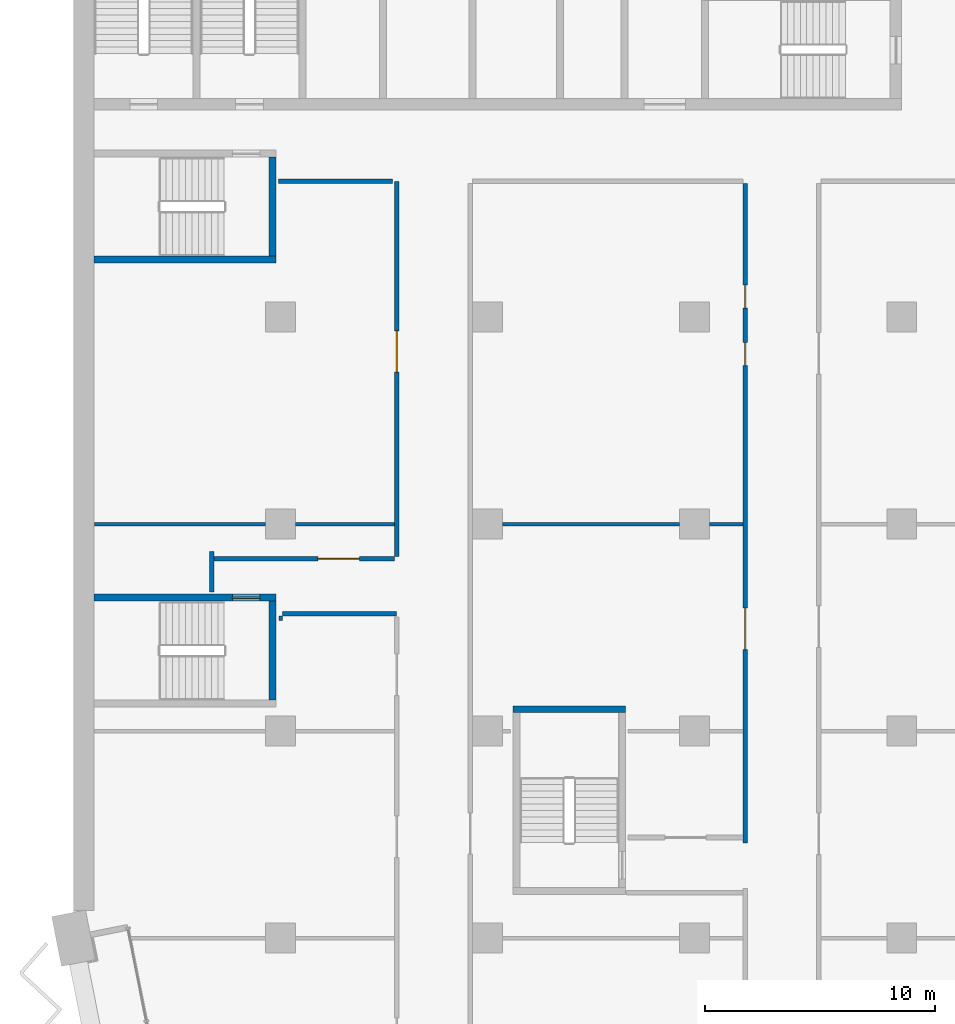
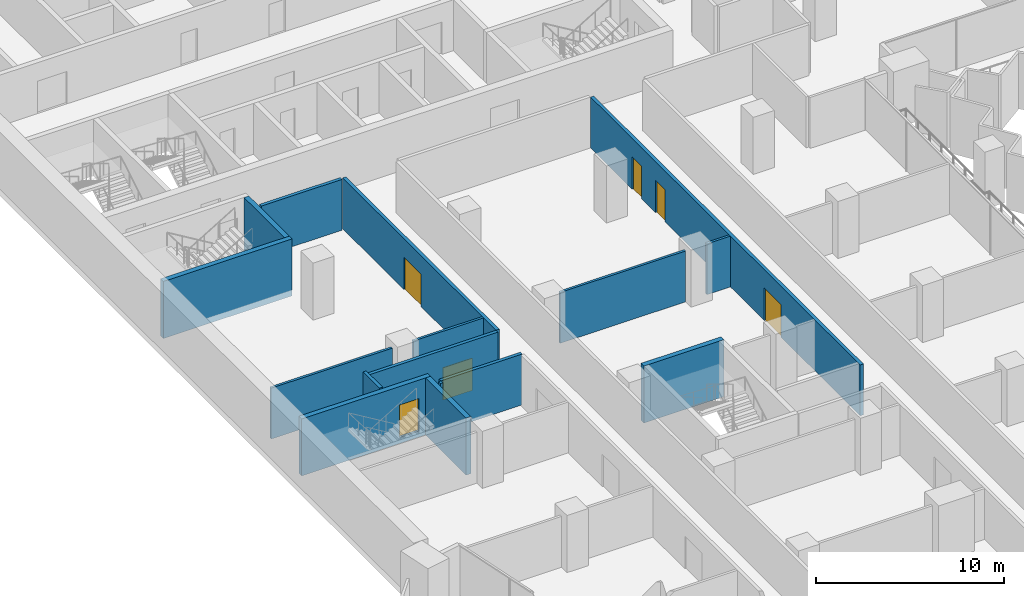
# One storey, part 10 of 22: 16 walls, 6 doors, 6 openings.
"""IFC4 building model written with IfcOpenShell, lengths in metres."""

from ifc_helpers import new_model, si_unit, direction, frame, frame_2d, origin, place, context, subcontext, project, spatial, rectangle, extrude, material, layer, layer_set, type_object, element, fill, save


model = new_model("IFC4")

# Units and contexts
model_context = context("Model", 3, precision=1e-05, world=origin(), true_north=direction((0.0, 1.0)))
body_context = subcontext(model_context, "Body", "Model", "MODEL_VIEW")
ifc_project = project(units=[si_unit("LENGTHUNIT", "METRE"), si_unit("AREAUNIT", "SQUARE_METRE"), si_unit("VOLUMEUNIT", "CUBIC_METRE"), si_unit("PLANEANGLEUNIT", "RADIAN"), si_unit("MASSUNIT", "GRAM", prefix="KILO")], contexts=[model_context])

# Site, building, storey
site_placement = place(None, origin())
site = spatial("IfcSite", under=ifc_project, at=site_placement, CompositionType="ELEMENT")
building_placement = place(site_placement, origin())
building = spatial("IfcBuilding", under=site, at=building_placement, Name="Hunhe Ridgeline Campus", CompositionType="ELEMENT")
storey_placement = place(building_placement, frame((0.0, 0.0, 114.39990234375)))
storey = spatial("IfcBuildingStorey", under=building, at=storey_placement, Name="L28", CompositionType="ELEMENT", Elevation=114.39990234375)

# Wall
ifc_material_1 = material(Name="Gypsum board partition")
ifc_layer_1 = layer(ifc_material_1, 0.199951171875)
ifc_layer_set_1 = layer_set([ifc_layer_1], Name="Corridor partition 200 gypsum board on steel studs")
wall_type_1 = type_object("IfcWallType", Name="Corridor partition 200 gypsum board on steel studs", PredefinedType="PARTITIONING", material=ifc_layer_set_1)
wall_1_placement = place(storey_placement, frame((14.050048828125, 41.10009765625, 0.0), z_axis=(0.0, 0.0, 1.0), x_axis=(-1.0, 0.0, 0.0)))
element("IfcWall", 1, at=wall_1_placement, inside=storey, type_object=wall_type_1, Name="F-L28-wall-022", PredefinedType="PARTITIONING", context=body_context, shape_type="SweptSolid", body=[
    extrude(rectangle(XDim=4.97509765625, YDim=0.199951171875, at=frame_2d((2.487548828125, 0.0))), origin(), (0.0, 0.0, 1.0), 3.300048828125),
])

# Wall, opening, door
wall_2_placement = place(storey_placement, frame((6.10009765625, 43.5, 0.0), z_axis=(0.0, 0.0, 1.0), x_axis=(1.0, 0.0, 0.0)))
wall_2 = element("IfcWall", 2, at=wall_2_placement, inside=storey, type_object=wall_type_1, Name="F-L28-wall-023", PredefinedType="PARTITIONING", context=body_context, shape_type="SweptSolid", body=[
    extrude(rectangle(XDim=7.849853515625, YDim=0.199951171875, at=frame_2d((3.9248046875, 0.0))), origin(), (0.0, 0.0, 1.0), 3.300048828125),
])
opening_1_placement = place(wall_2_placement, frame((4.52490234375, 0.0, 0.0)))
opening_1 = element("IfcOpeningElement", 3, at=opening_1_placement, cuts=wall_2, Name="Opening RD2-014", PredefinedType="OPENING", context=body_context, shape_type="SweptSolid", body=[
    extrude(rectangle(XDim=1.800048828125, YDim=2.10009765625, at=frame_2d((0.89990234375, 1.050048828125))), frame((0.0, 0.10009765625, 0.0), z_axis=(0.0, -1.0, 0.0), x_axis=(1.0, 0.0, 0.0)), (0.0, 0.0, 1.0), 0.199951171875),
])
ifc_material_2 = material(Name="Timber door leaf", Category="wood")
door_type_1 = type_object("IfcDoorType", Name="Double fire door 1800x2100 timber FD60", OperationType="DOUBLE_DOOR_SINGLE_SWING", PredefinedType="DOOR", material=ifc_material_2)
door_1_placement = place(opening_1_placement, origin())
door_1 = element("IfcDoor", 4, at=door_1_placement, inside=storey, type_object=door_type_1, Name="F-L28-door-014", OperationType="DOUBLE_DOOR_SINGLE_SWING", OverallHeight=2.10009765625, OverallWidth=1.800048828125, PredefinedType="DOOR", context=body_context, shape_type="SweptSolid", body=[
    extrude(rectangle(XDim=1.800048828125, YDim=2.10009765625, at=frame_2d((0.89990234375, 1.050048828125))), frame((0.0, 0.02490234375, 0.0), z_axis=(0.0, -1.0, 0.0), x_axis=(1.0, 0.0, 0.0)), (0.0, 0.0, 1.0), 0.050048828125),
])
fill(opening_1, door_1)

# Walls
wall_3_placement = place(storey_placement, frame((13.859375, 59.89990234375, 0.0), z_axis=(0.0, 0.0, 1.0), x_axis=(-1.0, 0.0, 0.0)))
element("IfcWall", 5, at=wall_3_placement, inside=storey, type_object=wall_type_1, Name="F-L28-wall-031", PredefinedType="PARTITIONING", context=body_context, shape_type="SweptSolid", body=[
    extrude(rectangle(XDim=4.955322265625, YDim=0.199951171875, at=frame_2d((2.4775390625, 0.0))), origin(), (0.0, 0.0, 1.0), 3.300048828125),
])
wall_4_placement = place(storey_placement, frame((6.0, 42.053955078125, 0.0), z_axis=(0.0, 0.0, 1.0), x_axis=(0.0, 1.0, 0.0)))
element("IfcWall", 6, at=wall_4_placement, inside=storey, type_object=wall_type_1, Name="F-L28-wall-041", PredefinedType="PARTITIONING", context=body_context, shape_type="SweptSolid", body=[
    extrude(rectangle(XDim=1.74609375, YDim=0.199951171875, at=frame_2d((0.873046875, 0.0))), origin(), (0.0, 0.0, 1.0), 3.300048828125),
])

# Wall, opening, door
wall_5_placement = place(storey_placement, frame((14.050048828125, 43.60009765625, 0.0), z_axis=(0.0, 0.0, 1.0), x_axis=(0.0, 1.0, 0.0)))
wall_5 = element("IfcWall", 7, at=wall_5_placement, inside=storey, type_object=wall_type_1, Name="F-L28-wall-044", PredefinedType="PARTITIONING", context=body_context, shape_type="SweptSolid", body=[
    extrude(rectangle(XDim=16.2998046875, YDim=0.199951171875, at=frame_2d((8.14990234375, 0.0))), origin(), (0.0, 0.0, 1.0), 3.300048828125),
])
opening_2_placement = place(wall_5_placement, frame((8.002197265625, 0.0, 0.0)))
opening_2 = element("IfcOpeningElement", 8, at=opening_2_placement, cuts=wall_5, Name="Opening RD2-017", PredefinedType="OPENING", context=body_context, shape_type="SweptSolid", body=[
    extrude(rectangle(XDim=1.800048828125, YDim=2.10009765625, at=frame_2d((0.89990234375, 1.050048828125))), frame((0.0, 0.10009765625, 0.0), z_axis=(0.0, -1.0, 0.0), x_axis=(1.0, 0.0, 0.0)), (0.0, 0.0, 1.0), 0.199951171875),
])
door_2_placement = place(opening_2_placement, origin())
door_2 = element("IfcDoor", 9, at=door_2_placement, inside=storey, type_object=door_type_1, Name="F-L28-door-017", OperationType="DOUBLE_DOOR_SINGLE_SWING", OverallHeight=2.10009765625, OverallWidth=1.800048828125, PredefinedType="DOOR", context=body_context, shape_type="SweptSolid", body=[
    extrude(rectangle(XDim=1.800048828125, YDim=2.10009765625, at=frame_2d((0.89990234375, 1.050048828125))), frame((0.0, 0.02490234375, 0.0), z_axis=(0.0, -1.0, 0.0), x_axis=(1.0, 0.0, 0.0)), (0.0, 0.0, 1.0), 0.050048828125),
])
fill(opening_2, door_2)

# Wall, openings, doors
wall_6_placement = place(storey_placement, frame((29.199951171875, 31.14306640625, 0.0), z_axis=(0.0, 0.0, 1.0), x_axis=(0.0, 1.0, 0.0)))
wall_6 = element("IfcWall", 10, at=wall_6_placement, inside=storey, type_object=wall_type_1, Name="F-L28-wall-047", PredefinedType="PARTITIONING", context=body_context, shape_type="SweptSolid", body=[
    extrude(rectangle(XDim=28.656982421875, YDim=0.199951171875, at=frame_2d((14.32861328125, 0.0))), origin(), (0.0, 0.0, 1.0), 3.300048828125),
])
opening_3_placement = place(wall_6_placement, frame((8.40087890625, 0.0, 0.0)))
opening_3 = element("IfcOpeningElement", 11, at=opening_3_placement, cuts=wall_6, Name="Opening RD2-012", PredefinedType="OPENING", context=body_context, shape_type="SweptSolid", body=[
    extrude(rectangle(XDim=1.800048828125, YDim=2.10009765625, at=frame_2d((0.89990234375, 1.050048828125))), frame((0.0, 0.10009765625, 0.0), z_axis=(0.0, -1.0, 0.0), x_axis=(1.0, 0.0, 0.0)), (0.0, 0.0, 1.0), 0.199951171875),
])
opening_4_placement = place(wall_6_placement, frame((20.7412109375, 0.0, 0.0)))
opening_4 = element("IfcOpeningElement", 12, at=opening_4_placement, cuts=wall_6, Name="Opening RD1-015", PredefinedType="OPENING", context=body_context, shape_type="SweptSolid", body=[
    extrude(rectangle(XDim=1.0, YDim=2.10009765625, at=frame_2d((0.5, 1.050048828125))), frame((0.0, 0.10009765625, 0.0), z_axis=(0.0, -1.0, 0.0), x_axis=(1.0, 0.0, 0.0)), (0.0, 0.0, 1.0), 0.199951171875),
])
opening_5_placement = place(wall_6_placement, frame((23.2412109375, 0.0, 0.0)))
opening_5 = element("IfcOpeningElement", 13, at=opening_5_placement, cuts=wall_6, Name="Opening RD1-018", PredefinedType="OPENING", context=body_context, shape_type="SweptSolid", body=[
    extrude(rectangle(XDim=1.0, YDim=2.10009765625, at=frame_2d((0.5, 1.050048828125))), frame((0.0, 0.10009765625, 0.0), z_axis=(0.0, -1.0, 0.0), x_axis=(1.0, 0.0, 0.0)), (0.0, 0.0, 1.0), 0.199951171875),
])
door_3_placement = place(opening_3_placement, origin())
door_3 = element("IfcDoor", 14, at=door_3_placement, inside=storey, type_object=door_type_1, Name="F-L28-door-012", OperationType="DOUBLE_DOOR_SINGLE_SWING", OverallHeight=2.10009765625, OverallWidth=1.800048828125, PredefinedType="DOOR", context=body_context, shape_type="SweptSolid", body=[
    extrude(rectangle(XDim=1.800048828125, YDim=2.10009765625, at=frame_2d((0.89990234375, 1.050048828125))), frame((0.0, 0.02490234375, 0.0), z_axis=(0.0, -1.0, 0.0), x_axis=(1.0, 0.0, 0.0)), (0.0, 0.0, 1.0), 0.050048828125),
])
fill(opening_3, door_3)
door_type_2 = type_object("IfcDoorType", Name="Single fire door 1000x2100 timber FD60", OperationType="NOTDEFINED", PredefinedType="DOOR", material=ifc_material_2)
door_4_placement = place(opening_4_placement, frame((1.0, 0.0, 0.0), z_axis=(0.0, 0.0, 1.0), x_axis=(-1.0, 0.0, 0.0)))
door_4 = element("IfcDoor", 15, at=door_4_placement, inside=storey, type_object=door_type_2, Name="F-L28-door-015", OperationType="SINGLE_SWING_RIGHT", OverallHeight=2.10009765625, OverallWidth=1.0, PredefinedType="DOOR", context=body_context, shape_type="SweptSolid", body=[
    extrude(rectangle(XDim=1.0, YDim=2.10009765625, at=frame_2d((0.5, 1.050048828125))), frame((0.0, 0.02490234375, 0.0), z_axis=(0.0, -1.0, 0.0), x_axis=(1.0, 0.0, 0.0)), (0.0, 0.0, 1.0), 0.050048828125),
])
fill(opening_4, door_4)
door_5_placement = place(opening_5_placement, frame((1.0, 0.0, 0.0), z_axis=(0.0, 0.0, 1.0), x_axis=(-1.0, 0.0, 0.0)))
door_5 = element("IfcDoor", 16, at=door_5_placement, inside=storey, type_object=door_type_2, Name="F-L28-door-018", OperationType="SINGLE_SWING_LEFT", OverallHeight=2.10009765625, OverallWidth=1.0, PredefinedType="DOOR", context=body_context, shape_type="SweptSolid", body=[
    extrude(rectangle(XDim=1.0, YDim=2.10009765625, at=frame_2d((0.5, 1.050048828125))), frame((0.0, 0.02490234375, 0.0), z_axis=(0.0, -1.0, 0.0), x_axis=(1.0, 0.0, 0.0)), (0.0, 0.0, 1.0), 0.050048828125),
])
fill(opening_5, door_5)

# Walls
ifc_layer_2 = layer(ifc_material_1, 0.14990234375)
ifc_layer_set_2 = layer_set([ifc_layer_2], Name="Room partition 150 gypsum board on steel studs")
wall_type_2 = type_object("IfcWallType", Name="Room partition 150 gypsum board on steel studs", PredefinedType="PARTITIONING", material=ifc_layer_set_2)
wall_7_placement = place(storey_placement, frame((0.919921875, 45.0, 0.0), z_axis=(0.0, 0.0, 1.0), x_axis=(1.0, 0.0, 0.0)))
element("IfcWall", 17, at=wall_7_placement, inside=storey, type_object=wall_type_2, Name="F-L28-wall-024", PredefinedType="PARTITIONING", context=body_context, shape_type="SweptSolid", body=[
    extrude(rectangle(XDim=7.43017578125, YDim=0.14990234375, at=frame_2d((3.715087890625, 0.0))), origin(), (0.0, 0.0, 1.0), 3.300048828125),
])
wall_8_placement = place(storey_placement, frame((9.64990234375, 45.0, 0.0), z_axis=(0.0, 0.0, 1.0), x_axis=(1.0, 0.0, 0.0)))
element("IfcWall", 18, at=wall_8_placement, inside=storey, type_object=wall_type_2, Name="F-L28-wall-025", PredefinedType="PARTITIONING", context=body_context, shape_type="SweptSolid", body=[
    extrude(rectangle(XDim=4.300048828125, YDim=0.14990234375, at=frame_2d((2.14990234375, 0.0))), origin(), (0.0, 0.0, 1.0), 3.300048828125),
])
wall_9_placement = place(storey_placement, frame((18.64990234375, 45.0, 0.0), z_axis=(0.0, 0.0, 1.0), x_axis=(1.0, 0.0, 0.0)))
element("IfcWall", 19, at=wall_9_placement, inside=storey, type_object=wall_type_2, Name="F-L28-wall-026", PredefinedType="PARTITIONING", context=body_context, shape_type="SweptSolid", body=[
    extrude(rectangle(XDim=7.7001953125, YDim=0.14990234375, at=frame_2d((3.85009765625, 0.0))), origin(), (0.0, 0.0, 1.0), 3.300048828125),
])
wall_10_placement = place(storey_placement, frame((27.64990234375, 45.0, 0.0), z_axis=(0.0, 0.0, 1.0), x_axis=(1.0, 0.0, 0.0)))
element("IfcWall", 20, at=wall_10_placement, inside=storey, type_object=wall_type_2, Name="F-L28-wall-027", PredefinedType="PARTITIONING", context=body_context, shape_type="SweptSolid", body=[
    extrude(rectangle(XDim=1.4501953125, YDim=0.14990234375, at=frame_2d((0.72509765625, 0.0))), origin(), (0.0, 0.0, 1.0), 3.300048828125),
])
wall_11_placement = place(storey_placement, frame((9.0, 41.0, 0.0), z_axis=(0.0, 0.0, 1.0), x_axis=(0.0, -1.0, 0.0)))
element("IfcWall", 21, at=wall_11_placement, inside=storey, type_object=wall_type_2, Name="F-L28-wall-042", PredefinedType="PARTITIONING", context=body_context, shape_type="SweptSolid", body=[
    extrude(rectangle(XDim=0.199951171875, YDim=0.14990234375, at=frame_2d((0.10009765625, 0.0))), origin(), (0.0, 0.0, 1.0), 3.300048828125),
])
ifc_material_3 = material(Name="Concrete C80", Category="concrete")
ifc_layer_3 = layer(ifc_material_3, 0.300048828125)
ifc_layer_set_3 = layer_set([ifc_layer_3], Name="Stair wall 300 reinforced concrete C80")
wall_type_3 = type_object("IfcWallType", Name="Stair wall 300 reinforced concrete C80", PredefinedType="SOLIDWALL", material=ifc_layer_set_3)
wall_12_placement = place(storey_placement, frame((19.10009765625, 36.949951171875, -0.39990234375), z_axis=(0.0, 0.0, 1.0), x_axis=(1.0, 0.0, 0.0)))
element("IfcWall", 22, at=wall_12_placement, inside=storey, type_object=wall_type_3, Name="L28 core wall 2", PredefinedType="SOLIDWALL", context=body_context, shape_type="SweptSolid", body=[
    extrude(rectangle(XDim=4.89990234375, YDim=0.300048828125, at=frame_2d((2.449951171875, 0.0))), origin(), (0.0, 0.0, 1.0), 3.699951171875),
])

# Wall, opening, door
wall_13_placement = place(storey_placement, frame((0.89990234375, 41.800048828125, -0.39990234375), z_axis=(0.0, 0.0, 1.0), x_axis=(1.0, 0.0, 0.0)))
wall_13 = element("IfcWall", 23, at=wall_13_placement, inside=storey, type_object=wall_type_3, Name="L28 core wall 4", PredefinedType="SOLIDWALL", context=body_context, shape_type="SweptSolid", body=[
    extrude(rectangle(XDim=7.900146484375, YDim=0.300048828125, at=frame_2d((3.9501953125, 0.0))), origin(), (0.0, 0.0, 1.0), 3.699951171875),
])
opening_6_placement = place(wall_13_placement, frame((6.0, 0.0, 0.39990234375)))
opening_6 = element("IfcOpeningElement", 24, at=opening_6_placement, cuts=wall_13, Name="Opening CD21", PredefinedType="OPENING", context=body_context, shape_type="SweptSolid", body=[
    extrude(rectangle(XDim=1.199951171875, YDim=2.10009765625, at=frame_2d((0.60009765625, 1.050048828125))), frame((0.0, 0.14990234375, 0.0), z_axis=(0.0, -1.0, 0.0), x_axis=(1.0, 0.0, 0.0)), (0.0, 0.0, 1.0), 0.300048828125),
])
ifc_material_4 = material(Name="Hollow metal fire door leaf")
door_type_3 = type_object("IfcDoorType", Name="Stair door 1200x2100 FD60", OperationType="SINGLE_SWING_LEFT", PredefinedType="DOOR", material=ifc_material_4)
door_6_placement = place(opening_6_placement, origin())
door_6 = element("IfcDoor", 25, at=door_6_placement, inside=storey, type_object=door_type_3, Name="L28 door W1", OperationType="SINGLE_SWING_RIGHT", OverallHeight=2.10009765625, OverallWidth=1.199951171875, PredefinedType="DOOR", context=body_context, shape_type="SweptSolid", body=[
    extrude(rectangle(XDim=1.199951171875, YDim=2.10009765625, at=frame_2d((0.60009765625, 1.050048828125))), frame((0.0, 0.02490234375, 0.0), z_axis=(0.0, -1.0, 0.0), x_axis=(1.0, 0.0, 0.0)), (0.0, 0.0, 1.0), 0.050048828125),
])
fill(opening_6, door_6)

# Walls
wall_14_placement = place(storey_placement, frame((0.89990234375, 56.5, -0.39990234375), z_axis=(0.0, 0.0, 1.0), x_axis=(1.0, 0.0, 0.0)))
element("IfcWall", 26, at=wall_14_placement, inside=storey, type_object=wall_type_3, Name="L28 core wall 5", PredefinedType="SOLIDWALL", context=body_context, shape_type="SweptSolid", body=[
    extrude(rectangle(XDim=7.900146484375, YDim=0.300048828125, at=frame_2d((3.9501953125, 0.0))), origin(), (0.0, 0.0, 1.0), 3.699951171875),
])
wall_15_placement = place(storey_placement, frame((8.64990234375, 37.35009765625, -0.39990234375), z_axis=(0.0, 0.0, 1.0), x_axis=(0.0, 1.0, 0.0)))
element("IfcWall", 27, at=wall_15_placement, inside=storey, type_object=wall_type_3, Name="L28 core wall 38", PredefinedType="SOLIDWALL", context=body_context, shape_type="SweptSolid", body=[
    extrude(rectangle(XDim=4.2998046875, YDim=0.300048828125, at=frame_2d((2.14990234375, 0.0))), origin(), (0.0, 0.0, 1.0), 3.699951171875),
])
wall_16_placement = place(storey_placement, frame((8.64990234375, 56.64990234375, -0.39990234375), z_axis=(0.0, 0.0, 1.0), x_axis=(0.0, 1.0, 0.0)))
element("IfcWall", 28, at=wall_16_placement, inside=storey, type_object=wall_type_3, Name="L28 core wall 39", PredefinedType="SOLIDWALL", context=body_context, shape_type="SweptSolid", body=[
    extrude(rectangle(XDim=4.300048828125, YDim=0.300048828125, at=frame_2d((2.14990234375, 0.0))), origin(), (0.0, 0.0, 1.0), 3.699951171875),
])

save(model, "model.ifc")
